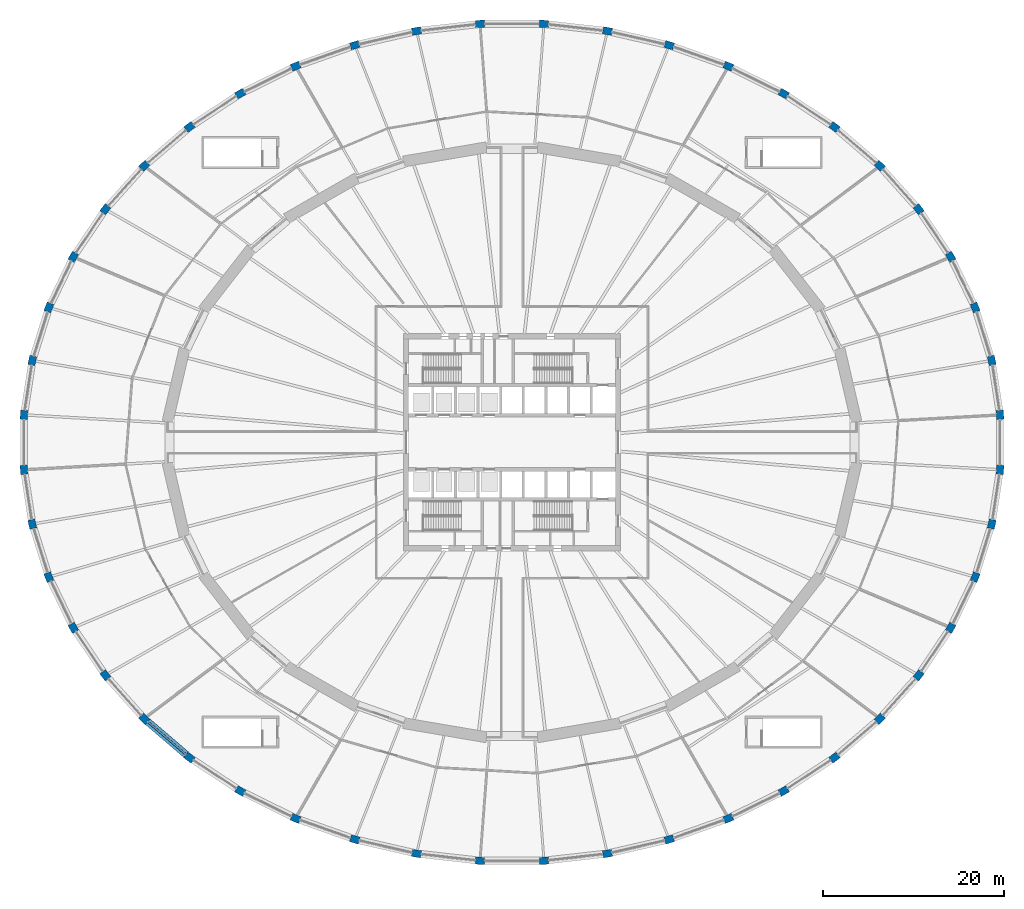
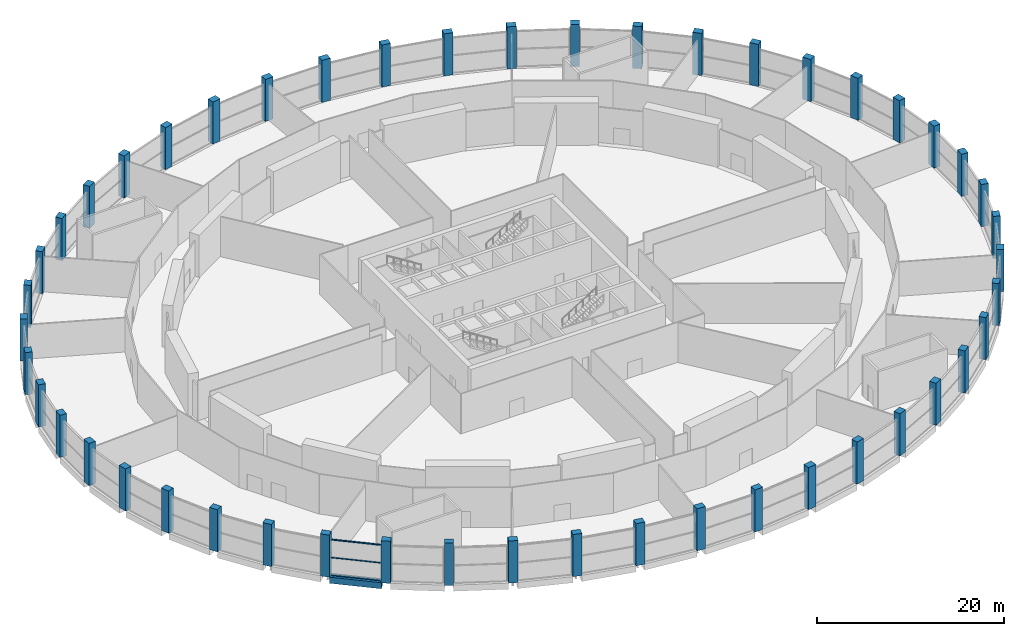
# One storey, part 1 of 26: 48 columns, 3 members, 1 beam, 1 element without a shape of its own.
"""IFC4 building model written with IfcOpenShell, lengths in metres."""

import ifcopenshell
import ifcopenshell.guid

model = None  # the IFC model being written
_history = None  # IfcOwnerHistory: only IFC2X3 demands one
_inside = {}  # id of a spatial element -> (the spatial element, [elements in it])
_under = {}  # id of a project, library or spatial element -> (it, [spatial elements below it])
_declared = {}  # id of a project -> (the project, [libraries it declares])
_typed = {}  # id of a type object -> (the type object, [elements of that type])
_made_of = {}  # id of a material, layer set ... -> (it, [elements and type objects made of it])


def new_model(schema):
    """Start an empty IFC model of exactly this schema.

    Asked for "IFC4X3", IfcOpenShell would pick the latest addendum, in which some entities
    have other attributes; the version numbers below select the first issue.
    IFC2X3 requires an IfcOwnerHistory on every rooted entity: one is made here for all.
    """
    global model, _history
    if schema == "IFC4X3":
        model = ifcopenshell.file(schema_version=(4, 3, 0, 0))
    else:
        model = ifcopenshell.file(schema=schema)
    _inside.clear()
    _under.clear()
    _declared.clear()
    _typed.clear()
    _made_of.clear()
    _history = None
    if model.schema == "IFC2X3":
        org = make("IfcOrganization", Name="unknown")
        user = make(
            "IfcPersonAndOrganization",
            ThePerson=make("IfcPerson", FamilyName="unknown"),
            TheOrganization=org,
        )
        app = make(
            "IfcApplication",
            ApplicationDeveloper=org,
            Version="unknown",
            ApplicationFullName="unknown",
            ApplicationIdentifier="unknown",
        )
        _history = make(
            "IfcOwnerHistory",
            OwningUser=user,
            OwningApplication=app,
            ChangeAction="ADDED",
            CreationDate=0,
        )
    return model


def make(cls, **values):
    """One entity of the class cls with the attributes given. An attribute that is None is left unset."""
    return model.create_entity(
        cls, **{name: value for name, value in values.items() if value is not None}
    )


def rooted(cls, **values):
    """An entity with a GlobalId (a new one), such as an element, a storey or a relation."""
    return make(cls, GlobalId=ifcopenshell.guid.new(), OwnerHistory=_history, **values)


def si_unit(unit_type, name, prefix=None):
    """IfcSIUnit, for example si_unit("LENGTHUNIT", "METRE", prefix="MILLI")."""
    return make("IfcSIUnit", UnitType=unit_type, Prefix=prefix, Name=name)


def assignment(units):
    """IfcUnitAssignment: the units of a project."""
    return None if units is None else make("IfcUnitAssignment", Units=units)


def point(xyz):
    """IfcCartesianPoint."""
    return None if xyz is None else make("IfcCartesianPoint", Coordinates=xyz)


def direction(xyz):
    """IfcDirection."""
    return None if xyz is None else make("IfcDirection", DirectionRatios=xyz)


def frame(location, z_axis=None, x_axis=None):
    """IfcAxis2Placement3D, a coordinate frame: its origin and axes. An axis left out is left unset."""
    return make(
        "IfcAxis2Placement3D",
        Location=point(location),
        Axis=direction(z_axis),
        RefDirection=direction(x_axis),
    )


def frame_2d(location, x_axis=None):
    """IfcAxis2Placement2D, a coordinate frame in the plane: its origin and x axis."""
    return make(
        "IfcAxis2Placement2D", Location=point(location), RefDirection=direction(x_axis)
    )


def origin():
    """The frame at (0, 0, 0) with its axes left unset."""
    return frame((0.0, 0.0, 0.0))


def origin_2d():
    """The frame at (0, 0) in the plane with its x axis left unset."""
    return frame_2d((0.0, 0.0))


def place(relative_to, where):
    """IfcLocalPlacement: puts the frame where relative to a parent placement (None: the world)."""
    return make(
        "IfcLocalPlacement", PlacementRelTo=relative_to, RelativePlacement=where
    )


def context(
    kind, dimensions, precision=None, world=None, true_north=None, identifier=None
):
    """IfcGeometricRepresentationContext, for example the 3D "Model" context."""
    return make(
        "IfcGeometricRepresentationContext",
        ContextIdentifier=identifier,
        ContextType=kind,
        CoordinateSpaceDimension=dimensions,
        Precision=precision,
        WorldCoordinateSystem=world,
        TrueNorth=true_north,
    )


def subcontext(parent, identifier, kind, view, scale=None):
    """IfcGeometricRepresentationSubContext, for example "Body" below "Model"."""
    return make(
        "IfcGeometricRepresentationSubContext",
        ContextIdentifier=identifier,
        ContextType=kind,
        ParentContext=parent,
        TargetScale=scale,
        TargetView=view,
    )


def project(units=None, contexts=None):
    """IfcProject with its units and contexts."""
    return rooted(
        "IfcProject",
        Name="project",
        RepresentationContexts=contexts,
        UnitsInContext=assignment(units),
    )


def spatial(cls, under=None, at=None, **own):
    """A site, building, storey or space (cls), placed at a placement, below another one or the project."""
    s = rooted(cls, ObjectPlacement=at, **own)
    if under is not None:
        _under.setdefault(under.id(), (under, []))[1].append(s)
    return s


def profile(cls, at=None, kind="AREA", **sizes):
    """A parametric profile (cls). Its sizes go by their IFC names, for example OverallWidth=200.0."""
    return make(cls, ProfileType=kind, Position=at, **sizes)


def rectangle(**sizes):
    """IfcRectangleProfileDef."""
    return profile("IfcRectangleProfileDef", **sizes)


def extrude(swept, where, along, depth):
    """IfcExtrudedAreaSolid: the profile swept, set in the frame where, extruded along a direction by depth."""
    return make(
        "IfcExtrudedAreaSolid",
        SweptArea=swept,
        Position=where,
        ExtrudedDirection=direction(along),
        Depth=depth,
    )


def shape(context_of_items, identifier, shape_type, items):
    """IfcShapeRepresentation: the items that make up one representation, for example the "Body"."""
    return make(
        "IfcShapeRepresentation",
        ContextOfItems=context_of_items,
        RepresentationIdentifier=identifier,
        RepresentationType=shape_type,
        Items=items,
    )


def material(Name=None, Category=None):
    """IfcMaterial."""
    return make("IfcMaterial", Name=Name, Category=Category)


def material_profile(
    of_material, cross_section, Name=None, Category=None, Priority=None
):
    """IfcMaterialProfile: a cross section and its material."""
    return make(
        "IfcMaterialProfile",
        Name=Name,
        Material=of_material,
        Profile=cross_section,
        Priority=Priority,
        Category=Category,
    )


def profile_set(profiles, Name=None, composite=None):
    """IfcMaterialProfileSet."""
    return make(
        "IfcMaterialProfileSet",
        Name=Name,
        MaterialProfiles=profiles,
        CompositeProfile=composite,
    )


def made_of(thing, what):
    """Note that an element or type object is made of a material, layer set ...; save() writes the relation."""
    if what is not None:
        _made_of.setdefault(what.id(), (what, []))[1].append(thing)
    return thing


def type_object(cls, material=None, **own):
    """A type object (cls), such as IfcWallType, which elements share."""
    return made_of(rooted(cls, **own), material)


def element(
    cls,
    number,
    at=None,
    inside=None,
    cuts=None,
    type_object=None,
    material=None,
    context=None,
    identifier="Body",
    shape_type=None,
    held_by="IfcProductDefinitionShape",
    body=None,
    shapes=None,
    **own,
):
    """One element of the class cls, such as IfcWall. Its Tag is "e" and its number.

    at: its placement. inside: the storey or other place that contains it. cuts: it is an
    opening in that element (IfcRelVoidsElement). A single representation is given by context,
    identifier, shape_type and body (its items); several are given by shapes. held_by: the class
    of the entity that holds the representations. save() writes the other relations.
    """
    e = rooted(cls, Tag="e%d" % number, ObjectPlacement=at, **own)
    if body is not None:
        shapes = [shape(context, identifier, shape_type, body)]
    if shapes is not None:
        e.Representation = make(held_by, Representations=shapes)
    if inside is not None:
        _inside.setdefault(inside.id(), (inside, []))[1].append(e)
    if cuts is not None:
        rooted(
            "IfcRelVoidsElement", RelatingBuildingElement=cuts, RelatedOpeningElement=e
        )
    if type_object is not None:
        _typed.setdefault(type_object.id(), (type_object, []))[1].append(e)
    return made_of(e, material)


def aggregate(whole, parts):
    """IfcRelAggregates: a whole, such as a stair, and the parts it consists of."""
    return rooted("IfcRelAggregates", RelatingObject=whole, RelatedObjects=parts)


def save(model, path):
    """Write the relations noted so far, then the file.

    IfcRelAggregates (storeys below a building ...), IfcRelContainedInSpatialStructure (elements
    in a storey), IfcRelDefinesByType, IfcRelAssociatesMaterial and IfcRelDeclares: one each for
    every whole, place, type object, material and project.
    """
    for whole, parts in _under.values():
        aggregate(whole, parts)
    for where, things in _inside.values():
        rooted(
            "IfcRelContainedInSpatialStructure",
            RelatedElements=things,
            RelatingStructure=where,
        )
    for kind, things in _typed.values():
        rooted("IfcRelDefinesByType", RelatedObjects=things, RelatingType=kind)
    for what, things in _made_of.values():
        rooted("IfcRelAssociatesMaterial", RelatedObjects=things, RelatingMaterial=what)
    for by, libraries in _declared.values():
        rooted("IfcRelDeclares", RelatingContext=by, RelatedDefinitions=libraries)
    model.write(path)


model = new_model("IFC4")

# Units and contexts
model_context = context("Model", 3, precision=1e-05, world=origin(), true_north=direction((0.0, 1.0)))
body_context = subcontext(model_context, "Body", "Model", "MODEL_VIEW")
ifc_project = project(units=[si_unit("LENGTHUNIT", "METRE"), si_unit("AREAUNIT", "SQUARE_METRE"), si_unit("VOLUMEUNIT", "CUBIC_METRE"), si_unit("PLANEANGLEUNIT", "RADIAN"), si_unit("MASSUNIT", "GRAM", prefix="KILO")], contexts=[model_context])

# Site, building, storey
site_placement = place(None, origin())
site = spatial("IfcSite", under=ifc_project, at=site_placement, CompositionType="ELEMENT")
building_placement = place(site_placement, origin())
building = spatial("IfcBuilding", under=site, at=building_placement, Name="Halqa Exchange Tower", CompositionType="ELEMENT")
storey_placement = place(building_placement, frame((0.0, 0.0, 18.0)))
storey = spatial("IfcBuildingStorey", under=building, at=storey_placement, Name="L03", CompositionType="ELEMENT", Elevation=18.0)

# Columns
ifc_material_1 = material(Name="Concrete C60/75", Category="concrete")
ifc_material_profile_1 = material_profile(ifc_material_1, rectangle(XDim=1.0, YDim=0.800048828125, at=origin_2d()), Name="1000 x 800")
ifc_profile_set_1 = profile_set([ifc_material_profile_1], Name="Concrete C60/75")
column_type = type_object("IfcColumnType", Name="RC podium ring column 1000 x 800 C60/75", PredefinedType="COLUMN", material=ifc_profile_set_1)
for number, where, z_axis, x_axis, name in (
    (1, (53.884521484375, 3.0283203125, 0.0), (0.0, 0.0, 1.0), (-0.076223065836, 0.997090790367, 0.0), "Podium ring column 1"),
    (2, (52.96240234375, 9.03271484375, 0.0), (0.0, 0.0, 1.0), (-0.22599679145, 0.974128046129, 0.0), "Podium ring column 2"),
    (3, (51.13427734375, 14.882568359375, 0.0), (0.0, 0.0, 1.0), (-0.368109947744, 0.92978226826, 0.0), "Podium ring column 3"),
    (4, (48.43115234375, 20.47802734375, 0.0), (0.0, 0.0, 1.0), (-0.498569440634, 0.866849763723, 0.0), "Podium ring column 4"),
    (5, (44.8994140625, 25.722900390625, 0.0), (0.0, 0.0, 1.0), (-0.614691396063, 0.788767701929, 0.0), "Podium ring column 5"),
    (6, (40.599365234375, 30.527587890625, 0.0), (0.0, 0.0, 1.0), (-0.715039055588, 0.699084507755, 0.0), "Podium ring column 6"),
    (7, (35.604736328125, 34.810302734375, 0.0), (0.0, 0.0, 1.0), (-0.799260046694, 0.600985339055, 0.0), "Podium ring column 7"),
    (8, (30.000732421875, 38.4970703125, 0.0), (0.0, 0.0, 1.0), (-0.867693451459, 0.497099662336, 0.0), "Podium ring column 8"),
    (9, (23.883544921875, 41.525146484375, 0.0), (0.0, 0.0, 1.0), (-0.921048160137, 0.389448695861, 0.0), "Podium ring column 9"),
    (10, (17.357666015625, 43.843017578125, 0.0), (0.0, 0.0, 1.0), (-0.960157717988, 0.27945868494, 0.0), "Podium ring column 10"),
    (11, (10.534912109375, 45.410400390625, 0.0), (0.0, 0.0, 1.0), (-0.985766331194, 0.168121207122, 0.0), "Podium ring column 11"),
    (12, (3.53173828125, 46.200927734375, 0.0), (0.0, 0.0, 1.0), (-0.998424745269, 0.056107290394, 0.0), "Podium ring column 12"),
    (13, (-3.53173828125, 46.200927734375, 0.0), (0.0, 0.0, 1.0), (-0.998424745269, -0.056107290394, 0.0), "Podium ring column 13"),
    (14, (-10.534912109375, 45.410400390625, 0.0), (0.0, 0.0, 1.0), (-0.985766331194, -0.168121207122, 0.0), "Podium ring column 14"),
    (15, (-17.357666015625, 43.843017578125, 0.0), (0.0, 0.0, 1.0), (-0.960157717988, -0.27945868494, 0.0), "Podium ring column 15"),
    (16, (-23.883544921875, 41.525146484375, 0.0), (0.0, 0.0, 1.0), (-0.921048160137, -0.389448695861, 0.0), "Podium ring column 16"),
    (17, (-30.000732421875, 38.4970703125, 0.0), (0.0, 0.0, 1.0), (-0.867693451459, -0.497099662336, 0.0), "Podium ring column 17"),
    (18, (-35.604736328125, 34.810302734375, 0.0), (0.0, 0.0, 1.0), (-0.799260046694, -0.600985339055, 0.0), "Podium ring column 18"),
    (19, (-40.599365234375, 30.527587890625, 0.0), (0.0, 0.0, 1.0), (-0.715039055588, -0.699084507755, 0.0), "Podium ring column 19"),
    (20, (-44.8994140625, 25.722900390625, 0.0), (0.0, 0.0, 1.0), (-0.614691396063, -0.788767701929, 0.0), "Podium ring column 20"),
    (21, (-48.43115234375, 20.47802734375, 0.0), (0.0, 0.0, 1.0), (-0.498569440634, -0.866849763723, 0.0), "Podium ring column 21"),
    (22, (-51.13427734375, 14.882568359375, 0.0), (0.0, 0.0, 1.0), (-0.368109947744, -0.92978226826, 0.0), "Podium ring column 22"),
    (23, (-52.96240234375, 9.03271484375, 0.0), (0.0, 0.0, 1.0), (-0.22599679145, -0.974128046129, 0.0), "Podium ring column 23"),
    (24, (-53.884521484375, 3.0283203125, 0.0), (0.0, 0.0, 1.0), (-0.076223065836, -0.997090790367, 0.0), "Podium ring column 24"),
    (25, (-53.884521484375, -3.0283203125, 0.0), (0.0, 0.0, 1.0), (0.076223065836, -0.997090790367, 0.0), "Podium ring column 25"),
    (26, (-52.96240234375, -9.03271484375, 0.0), (0.0, 0.0, 1.0), (0.22599679145, -0.974128046129, 0.0), "Podium ring column 26"),
    (27, (-51.13427734375, -14.882568359375, 0.0), (0.0, 0.0, 1.0), (0.368109947744, -0.92978226826, 0.0), "Podium ring column 27"),
    (28, (-48.43115234375, -20.47802734375, 0.0), (0.0, 0.0, 1.0), (0.498569440634, -0.866849763723, 0.0), "Podium ring column 28"),
    (29, (-44.8994140625, -25.722900390625, 0.0), (0.0, 0.0, 1.0), (0.614691396063, -0.788767701929, 0.0), "Podium ring column 29"),
    (30, (-40.599365234375, -30.527587890625, 0.0), (0.0, 0.0, 1.0), (0.715039055588, -0.699084507755, 0.0), "Podium ring column 30"),
    (31, (-35.604736328125, -34.810302734375, 0.0), (0.0, 0.0, 1.0), (0.799260046694, -0.600985339055, 0.0), "Podium ring column 31"),
    (32, (-30.000732421875, -38.4970703125, 0.0), (0.0, 0.0, 1.0), (0.867693451459, -0.497099662336, 0.0), "Podium ring column 32"),
    (33, (-23.883544921875, -41.525146484375, 0.0), (0.0, 0.0, 1.0), (0.921048160137, -0.389448695861, 0.0), "Podium ring column 33"),
    (34, (-17.357666015625, -43.843017578125, 0.0), (0.0, 0.0, 1.0), (0.960157717988, -0.27945868494, 0.0), "Podium ring column 34"),
    (35, (-10.534912109375, -45.410400390625, 0.0), (0.0, 0.0, 1.0), (0.985766331194, -0.168121207122, 0.0), "Podium ring column 35"),
    (36, (-3.53173828125, -46.200927734375, 0.0), (0.0, 0.0, 1.0), (0.998424745269, -0.056107290394, 0.0), "Podium ring column 36"),
    (37, (3.53173828125, -46.200927734375, 0.0), (0.0, 0.0, 1.0), (0.998424745269, 0.056107290394, 0.0), "Podium ring column 37"),
    (38, (10.534912109375, -45.410400390625, 0.0), (0.0, 0.0, 1.0), (0.985766331194, 0.168121207122, 0.0), "Podium ring column 38"),
    (39, (17.357666015625, -43.843017578125, 0.0), (0.0, 0.0, 1.0), (0.960157717988, 0.27945868494, 0.0), "Podium ring column 39"),
    (40, (23.883544921875, -41.525146484375, 0.0), (0.0, 0.0, 1.0), (0.921048160137, 0.389448695861, 0.0), "Podium ring column 40"),
    (41, (30.000732421875, -38.4970703125, 0.0), (0.0, 0.0, 1.0), (0.867693451459, 0.497099662336, 0.0), "Podium ring column 41"),
    (42, (35.604736328125, -34.810302734375, 0.0), (0.0, 0.0, 1.0), (0.799260046694, 0.600985339055, 0.0), "Podium ring column 42"),
    (43, (40.599365234375, -30.527587890625, 0.0), (0.0, 0.0, 1.0), (0.715039055588, 0.699084507755, 0.0), "Podium ring column 43"),
    (44, (44.8994140625, -25.722900390625, 0.0), (0.0, 0.0, 1.0), (0.614691396063, 0.788767701929, 0.0), "Podium ring column 44"),
    (45, (48.43115234375, -20.47802734375, 0.0), (0.0, 0.0, 1.0), (0.498569440634, 0.866849763723, 0.0), "Podium ring column 45"),
    (46, (51.13427734375, -14.882568359375, 0.0), (0.0, 0.0, 1.0), (0.368109947744, 0.92978226826, 0.0), "Podium ring column 46"),
    (47, (52.96240234375, -9.03271484375, 0.0), (0.0, 0.0, 1.0), (0.22599679145, 0.974128046129, 0.0), "Podium ring column 47"),
    (48, (53.884521484375, -3.0283203125, 0.0), (0.0, 0.0, 1.0), (0.076223065836, 0.997090790367, 0.0), "Podium ring column 48"),
):
    element("IfcColumn", number, at=place(storey_placement, frame(where, z_axis=z_axis, x_axis=x_axis)), inside=storey, type_object=column_type, Name=name, PredefinedType="COLUMN", context=body_context, shape_type="SweptSolid", body=[
        extrude(rectangle(XDim=1.0, YDim=0.800048828125, at=origin_2d()), origin(), (0.0, 0.0, 1.0), 5.5),
    ])

# Curtain wall, members
ifc_material_2 = material(Name="Anodised aluminium and clear glass", Category="aluminium")
curtain_wall_type = type_object("IfcCurtainWallType", Name="Exchange hall glazing", PredefinedType="NOTDEFINED", material=ifc_material_2)
curtain_wall_placement = place(storey_placement, origin())
curtain_wall = element("IfcCurtainWall", 49, at=curtain_wall_placement, inside=storey, type_object=curtain_wall_type, Name="Exchange hall glazing run P30", PredefinedType="NOTDEFINED")
ifc_material_3 = material(Name="Anodised aluminium", Category="aluminium")
ifc_material_profile_2 = material_profile(ifc_material_3, rectangle(XDim=0.199951171875, YDim=0.070068359375, at=origin_2d()), Name="AL 70x200")
ifc_profile_set_2 = profile_set([ifc_material_profile_2], Name="Anodised aluminium")
member_type = type_object("IfcMemberType", Name="Exchange hall glazing transom 70 x 200", PredefinedType="USERDEFINED", material=ifc_profile_set_2)
member_1_placement = place(storey_placement, frame((-40.16650390625, -30.898681640625, 0.034912109375), z_axis=(0.759142529619, -0.650924434727, 0.0), x_axis=(0.650924434727, 0.759142529619, 0.0)))
member_1 = element("IfcMember", 50, at=member_1_placement, type_object=member_type, Name="P30 transom 1.1", ObjectType="TRANSOM", PredefinedType="USERDEFINED", context=body_context, shape_type="SweptSolid", body=[
    extrude(rectangle(XDim=0.199951171875, YDim=0.070068359375, at=origin_2d()), origin(), (0.0, 0.0, 1.0), 5.439208984375),
])
member_2_placement = place(storey_placement, frame((-40.16650390625, -30.898681640625, 2.35009765625), z_axis=(0.759142529619, -0.650924434727, 0.0), x_axis=(0.650924434727, 0.759142529619, 0.0)))
member_2 = element("IfcMember", 51, at=member_2_placement, type_object=member_type, Name="P30 transom 1.2", ObjectType="TRANSOM", PredefinedType="USERDEFINED", context=body_context, shape_type="SweptSolid", body=[
    extrude(rectangle(XDim=0.199951171875, YDim=0.070068359375, at=origin_2d()), origin(), (0.0, 0.0, 1.0), 5.439208984375),
])
member_3_placement = place(storey_placement, frame((-40.16650390625, -30.898681640625, 4.6650390625), z_axis=(0.759142529619, -0.650924434727, 0.0), x_axis=(0.650924434727, 0.759142529619, 0.0)))
member_3 = element("IfcMember", 52, at=member_3_placement, type_object=member_type, Name="P30 transom 1.3", ObjectType="TRANSOM", PredefinedType="USERDEFINED", context=body_context, shape_type="SweptSolid", body=[
    extrude(rectangle(XDim=0.199951171875, YDim=0.070068359375, at=origin_2d()), origin(), (0.0, 0.0, 1.0), 5.439208984375),
])
aggregate(curtain_wall, [member_1, member_2, member_3])

# Beam
ifc_material_profile_3 = material_profile(ifc_material_1, rectangle(XDim=0.800048828125, YDim=0.800048828125, at=origin_2d()), Name="800 x 800")
ifc_profile_set_3 = profile_set([ifc_material_profile_3], Name="Concrete C60/75")
beam_type = type_object("IfcBeamType", Name="RC podium edge beam 800 x 800 C60/75", PredefinedType="SPANDREL", material=ifc_profile_set_3)
beam_placement = place(storey_placement, frame((-40.240478515625, -30.83544921875, -0.39990234375), z_axis=(0.759174010844, -0.650887717859, 0.0), x_axis=(0.650887717859, 0.759174010844, 0.0)))
element("IfcBeam", 53, at=beam_placement, inside=storey, type_object=beam_type, Name="Podium edge beam 30", PredefinedType="SPANDREL", context=body_context, shape_type="SweptSolid", body=[
    extrude(rectangle(XDim=0.800048828125, YDim=0.800048828125, at=origin_2d()), origin(), (0.0, 0.0, 1.0), 5.63427734375),
])

save(model, "model.ifc")
